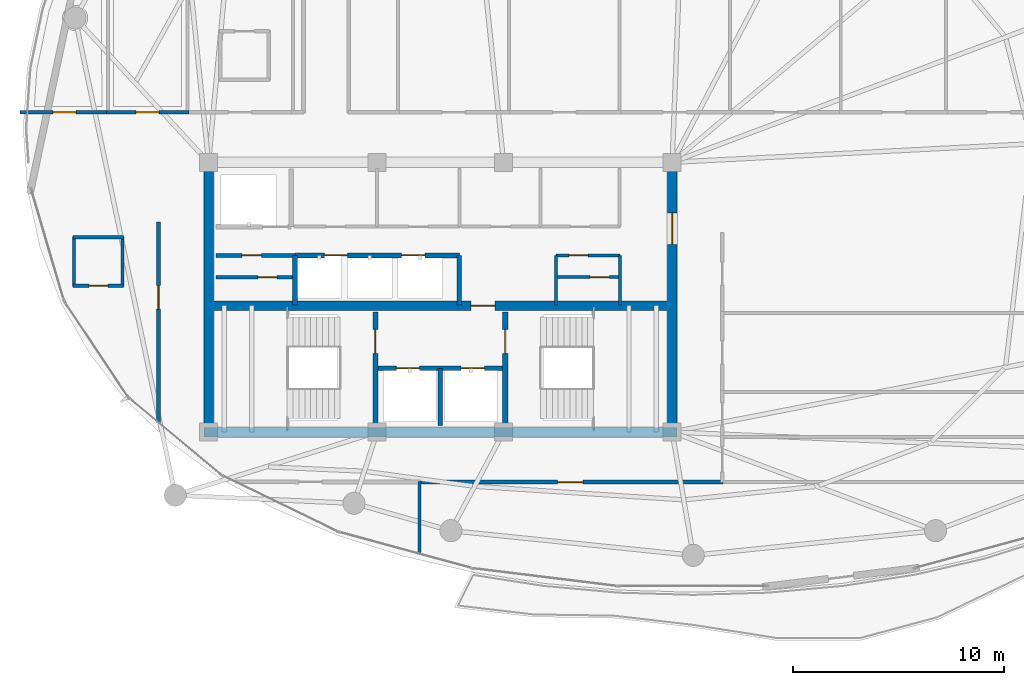
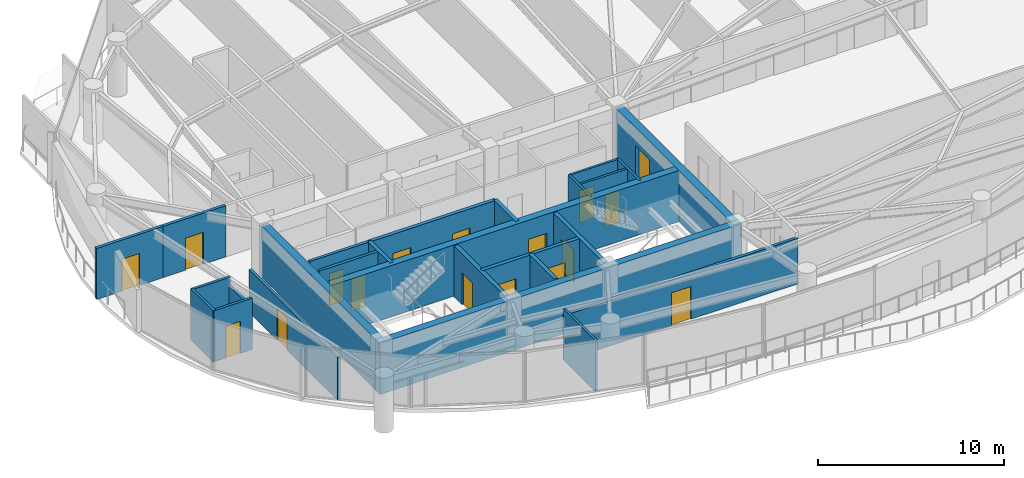
# One storey, part 23 of 29: 26 walls, 17 doors, 17 openings.
"""IFC4 building model written with IfcOpenShell, lengths in metres."""

from ifc_helpers import new_model, si_unit, direction, frame, frame_2d, origin, place, context, subcontext, project, spatial, rectangle, extrude, material, layer, layer_set, type_object, element, fill, save


model = new_model("IFC4")

# Units and contexts
model_context = context("Model", 3, precision=1e-05, world=origin(), true_north=direction((0.0, 1.0)))
body_context = subcontext(model_context, "Body", "Model", "MODEL_VIEW")
ifc_project = project(units=[si_unit("LENGTHUNIT", "METRE"), si_unit("AREAUNIT", "SQUARE_METRE"), si_unit("VOLUMEUNIT", "CUBIC_METRE"), si_unit("PLANEANGLEUNIT", "RADIAN"), si_unit("MASSUNIT", "GRAM", prefix="KILO")], contexts=[model_context])

# Site, building, storey
site_placement = place(None, origin())
site = spatial("IfcSite", under=ifc_project, at=site_placement, CompositionType="ELEMENT")
building_placement = place(site_placement, origin())
building = spatial("IfcBuilding", under=site, at=building_placement, Name="Kazevale Care Tower and Concert Hall", CompositionType="ELEMENT")
storey_placement = place(building_placement, frame((0.0, 0.0, 199.199951171875)))
storey = spatial("IfcBuildingStorey", under=building, at=storey_placement, Name="L52", CompositionType="ELEMENT", Elevation=199.199951171875)

# Walls
ifc_material_1 = material(Name="Acoustic Gypsum on Steel Stud", Category="steel")
ifc_layer_1 = layer(ifc_material_1, 0.139892578125)
ifc_layer_set_1 = layer_set([ifc_layer_1], Name="Acoustic Gypsum on Steel Stud")
wall_type_1 = type_object("IfcWallType", Name="Acoustic Care & Suite Partition 140", PredefinedType="PARTITIONING", material=ifc_layer_set_1)
for number, where, z_axis, x_axis, name in (
    (1, (38.47998046875, 29.6201171875, 0.0), (0.0, 0.0, 1.0), (0.0, 1.0, 0.0), "wall:L52:kc_ew"),
    (2, (41.52001953125, 29.6201171875, 0.0), (0.0, 0.0, 1.0), (0.0, 1.0, 0.0), "wall:L52:kc_ee"),
):
    element("IfcWall", number, at=place(storey_placement, frame(where, z_axis=z_axis, x_axis=x_axis)), inside=storey, type_object=wall_type_1, Name=name, PredefinedType="PARTITIONING", context=body_context, shape_type="SweptSolid", body=[
        extrude(rectangle(XDim=2.35986328125, YDim=0.139892578125, at=frame_2d((1.179931640625, 0.0))), origin(), (0.0, 0.0, 1.0), 3.360107421875),
    ])

# Wall, opening, door
wall_1_placement = place(storey_placement, frame((38.47998046875, 30.949951171875, 0.0), z_axis=(0.0, 0.0, 1.0), x_axis=(1.0, 0.0, 0.0)))
wall_1 = element("IfcWall", 3, at=wall_1_placement, inside=storey, type_object=wall_type_1, Name="wall:L52:kc_em", PredefinedType="PARTITIONING", context=body_context, shape_type="SweptSolid", body=[
    extrude(rectangle(XDim=3.0400390625, YDim=0.139892578125, at=frame_2d((1.52001953125, 0.0))), origin(), (0.0, 0.0, 1.0), 3.360107421875),
])
opening_1_placement = place(wall_1_placement, frame((1.616943359375, 0.0, 0.0)))
opening_1 = element("IfcOpeningElement", 4, at=opening_1_placement, cuts=wall_1, Name="Opening ID-900", PredefinedType="OPENING", context=body_context, shape_type="SweptSolid", body=[
    extrude(rectangle(XDim=0.919921875, YDim=2.10009765625, at=frame_2d((0.4599609375, 1.050048828125))), frame((0.0, 0.079833984375, 0.0), z_axis=(0.0, -1.0, 0.0), x_axis=(1.0, 0.0, 0.0)), (0.0, 0.0, 1.0), 0.159912109375),
])
ifc_material_2 = material(Name="Oak Timber Fire Leaf", Category="wood")
door_type_1 = type_object("IfcDoorType", Name="Bathroom & Service Door 920x2100", OperationType="NOTDEFINED", PredefinedType="DOOR", material=ifc_material_2)
door_1_placement = place(opening_1_placement, origin())
door_1 = element("IfcDoor", 5, at=door_1_placement, inside=storey, type_object=door_type_1, Name="door:L52:d_kceb", OperationType="SINGLE_SWING_RIGHT", OverallHeight=2.10009765625, OverallWidth=0.919921875, PredefinedType="DOOR", context=body_context, shape_type="SweptSolid", body=[
    extrude(rectangle(XDim=0.919921875, YDim=2.10009765625, at=frame_2d((0.4599609375, 1.050048828125))), frame((0.0, 0.02490234375, 0.0), z_axis=(0.0, -1.0, 0.0), x_axis=(1.0, 0.0, 0.0)), (0.0, 0.0, 1.0), 0.050048828125),
])
fill(opening_1, door_1)

wall_2_placement = place(storey_placement, frame((38.47998046875, 31.97998046875, 0.0), z_axis=(0.0, 0.0, 1.0), x_axis=(1.0, 0.0, 0.0)))
wall_2 = element("IfcWall", 6, at=wall_2_placement, inside=storey, type_object=wall_type_1, Name="wall:L52:kc_en", PredefinedType="PARTITIONING", context=body_context, shape_type="SweptSolid", body=[
    extrude(rectangle(XDim=3.0400390625, YDim=0.139892578125, at=frame_2d((1.52001953125, 0.0))), origin(), (0.0, 0.0, 1.0), 3.360107421875),
])
opening_2_placement = place(wall_2_placement, frame((0.614013671875, 0.0, 0.0)))
opening_2 = element("IfcOpeningElement", 7, at=opening_2_placement, cuts=wall_2, Name="Opening ID-900", PredefinedType="OPENING", context=body_context, shape_type="SweptSolid", body=[
    extrude(rectangle(XDim=0.919921875, YDim=2.10009765625, at=frame_2d((0.4599609375, 1.050048828125))), frame((0.0, 0.079833984375, 0.0), z_axis=(0.0, -1.0, 0.0), x_axis=(1.0, 0.0, 0.0)), (0.0, 0.0, 1.0), 0.159912109375),
])
door_2_placement = place(opening_2_placement, origin())
door_2 = element("IfcDoor", 8, at=door_2_placement, inside=storey, type_object=door_type_1, Name="door:L52:d_kcet", OperationType="SINGLE_SWING_LEFT", OverallHeight=2.10009765625, OverallWidth=0.919921875, PredefinedType="DOOR", context=body_context, shape_type="SweptSolid", body=[
    extrude(rectangle(XDim=0.919921875, YDim=2.10009765625, at=frame_2d((0.4599609375, 1.050048828125))), frame((0.0, 0.02490234375, 0.0), z_axis=(0.0, -1.0, 0.0), x_axis=(1.0, 0.0, 0.0)), (0.0, 0.0, 1.0), 0.050048828125),
])
fill(opening_2, door_2)

# Walls
wall_3_placement = place(storey_placement, frame((32.0, 21.2548828125, 0.0), z_axis=(0.0, 0.0, 1.0), x_axis=(0.0, -1.0, 0.0)))
element("IfcWall", 9, at=wall_3_placement, inside=storey, type_object=wall_type_1, Name="wall:L52:auto_038", PredefinedType="PARTITIONING", context=body_context, shape_type="SweptSolid", body=[
    extrude(rectangle(XDim=3.42236328125, YDim=0.139892578125, at=frame_2d((1.711181640625, 0.0))), origin(), (0.0, 0.0, 1.0), 3.360107421875),
])
ifc_material_3 = material(Name="Concrete C50", Category="concrete")
ifc_layer_2 = layer(ifc_material_3, 0.449951171875)
ifc_layer_set_2 = layer_set([ifc_layer_2], Name="Concrete C50")
wall_type_2 = type_object("IfcWallType", Name="Core Shear Wall 450 C50", PredefinedType="SHEAR", material=ifc_layer_set_2)
wall_4_placement = place(storey_placement, frame((21.77490234375, 23.60009765625, 0.0), z_axis=(0.0, 0.0, 1.0), x_axis=(1.0, 0.0, 0.0)))
element("IfcWall", 10, at=wall_4_placement, inside=storey, type_object=wall_type_2, Name="wall:L52:core:S", PredefinedType="SHEAR", context=body_context, shape_type="SweptSolid", body=[
    extrude(rectangle(XDim=22.4501953125, YDim=0.449951171875, at=frame_2d((11.22509765625, 0.0))), origin(), (0.0, 0.0, 1.0), 3.360107421875),
])
wall_5_placement = place(storey_placement, frame((22.0, 23.824951171875, 0.0), z_axis=(0.0, 0.0, 1.0), x_axis=(0.0, 1.0, 0.0)))
element("IfcWall", 11, at=wall_5_placement, inside=storey, type_object=wall_type_2, Name="wall:L52:core:W", PredefinedType="SHEAR", context=body_context, shape_type="SweptSolid", body=[
    extrude(rectangle(XDim=12.35009765625, YDim=0.449951171875, at=frame_2d((6.175048828125, 0.0))), origin(), (0.0, 0.0, 1.0), 3.360107421875),
])

# Wall, opening, door
wall_6_placement = place(storey_placement, frame((44.0, 23.824951171875, 0.0), z_axis=(0.0, 0.0, 1.0), x_axis=(0.0, 1.0, 0.0)))
wall_6 = element("IfcWall", 12, at=wall_6_placement, inside=storey, type_object=wall_type_2, Name="wall:L52:core:E", PredefinedType="SHEAR", context=body_context, shape_type="SweptSolid", body=[
    extrude(rectangle(XDim=12.35009765625, YDim=0.449951171875, at=frame_2d((6.175048828125, 0.0))), origin(), (0.0, 0.0, 1.0), 3.360107421875),
])
opening_3_placement = place(wall_6_placement, frame((8.675048828125, 0.0, 0.0)))
opening_3 = element("IfcOpeningElement", 13, at=opening_3_placement, cuts=wall_6, Name="Opening FD-60D", PredefinedType="OPENING", context=body_context, shape_type="SweptSolid", body=[
    extrude(rectangle(XDim=1.5, YDim=2.14990234375, at=frame_2d((0.75, 1.074951171875))), frame((0.0, 0.23486328125, 0.0), z_axis=(0.0, -1.0, 0.0), x_axis=(1.0, 0.0, 0.0)), (0.0, 0.0, 1.0), 0.469970703125),
])
door_type_2 = type_object("IfcDoorType", Name="Double Lobby & Auditorium Fire Door 1500x2150", OperationType="NOTDEFINED", PredefinedType="DOOR", material=ifc_material_2)
door_3_placement = place(opening_3_placement, origin())
door_3 = element("IfcDoor", 14, at=door_3_placement, inside=storey, type_object=door_type_2, Name="door:L52:core_east_out", OperationType="DOUBLE_DOOR_SINGLE_SWING", OverallHeight=2.14990234375, OverallWidth=1.5, PredefinedType="DOOR", context=body_context, shape_type="SweptSolid", body=[
    extrude(rectangle(XDim=1.5, YDim=2.14990234375, at=frame_2d((0.75, 1.074951171875))), frame((0.0, 0.02490234375, 0.0), z_axis=(0.0, -1.0, 0.0), x_axis=(1.0, 0.0, 0.0)), (0.0, 0.0, 1.0), 0.050048828125),
])
fill(opening_3, door_3)

wall_7_placement = place(storey_placement, frame((22.22509765625, 29.60009765625, 0.0), z_axis=(0.0, 0.0, 1.0), x_axis=(1.0, 0.0, 0.0)))
wall_7 = element("IfcWall", 15, at=wall_7_placement, inside=storey, type_object=wall_type_2, Name="wall:L52:core:M", PredefinedType="SHEAR", context=body_context, shape_type="SweptSolid", body=[
    extrude(rectangle(XDim=21.5498046875, YDim=0.449951171875, at=frame_2d((10.77490234375, 0.0))), origin(), (0.0, 0.0, 1.0), 3.360107421875),
])
opening_4_placement = place(wall_7_placement, frame((12.22509765625, 0.0, 0.0)))
opening_4 = element("IfcOpeningElement", 16, at=opening_4_placement, cuts=wall_7, Name="Opening FD-90", PredefinedType="OPENING", context=body_context, shape_type="SweptSolid", body=[
    extrude(rectangle(XDim=1.14990234375, YDim=2.10009765625, at=frame_2d((0.574951171875, 1.050048828125))), frame((0.0, 0.23486328125, 0.0), z_axis=(0.0, -1.0, 0.0), x_axis=(1.0, 0.0, 0.0)), (0.0, 0.0, 1.0), 0.469970703125),
])
ifc_material_4 = material(Name="Steel ASTM A572 Gr 50", Category="steel")
door_type_3 = type_object("IfcDoorType", Name="Pressurized Stair & Lobby Fire Door 1150x2100", OperationType="NOTDEFINED", PredefinedType="DOOR", material=ifc_material_4)
door_4_placement = place(opening_4_placement, origin())
door_4 = element("IfcDoor", 17, at=door_4_placement, inside=storey, type_object=door_type_3, Name="door:L52:ff_to_pax", OperationType="SINGLE_SWING_LEFT", OverallHeight=2.10009765625, OverallWidth=1.14990234375, PredefinedType="DOOR", context=body_context, shape_type="SweptSolid", body=[
    extrude(rectangle(XDim=1.14990234375, YDim=2.10009765625, at=frame_2d((0.574951171875, 1.050048828125))), frame((0.0, 0.02490234375, 0.0), z_axis=(0.0, -1.0, 0.0), x_axis=(1.0, 0.0, 0.0)), (0.0, 0.0, 1.0), 0.050048828125),
])
fill(opening_4, door_4)

# Wall, openings, doors
ifc_material_5 = material(Name="Concrete C40", Category="concrete")
ifc_layer_3 = layer(ifc_material_5, 0.219970703125)
ifc_layer_set_3 = layer_set([ifc_layer_3], Name="Concrete C40")
wall_type_3 = type_object("IfcWallType", Name="Elevator Hoistway Shaft Wall 220", PredefinedType="SOLIDWALL", material=ifc_layer_set_3)
wall_8_placement = place(storey_placement, frame((29.919921875, 26.6201171875, 0.0), z_axis=(0.0, 0.0, 1.0), x_axis=(1.0, 0.0, 0.0)))
wall_8 = element("IfcWall", 18, at=wall_8_placement, inside=storey, type_object=wall_type_3, Name="wall:L52:c_ffl_n", PredefinedType="SOLIDWALL", context=body_context, shape_type="SweptSolid", body=[
    extrude(rectangle(XDim=6.16015625, YDim=0.219970703125, at=frame_2d((3.080078125, 0.0))), origin(), (0.0, 0.0, 1.0), 3.360107421875),
])
opening_5_placement = place(wall_8_placement, frame((0.989990234375, 0.0, 0.0)))
opening_5 = element("IfcOpeningElement", 19, at=opening_5_placement, cuts=wall_8, Name="Opening LD-FF", PredefinedType="OPENING", context=body_context, shape_type="SweptSolid", body=[
    extrude(rectangle(XDim=1.10009765625, YDim=2.10009765625, at=frame_2d((0.550048828125, 1.050048828125))), frame((0.0, 0.119873046875, 0.0), z_axis=(0.0, -1.0, 0.0), x_axis=(1.0, 0.0, 0.0)), (0.0, 0.0, 1.0), 0.239990234375),
])
opening_6_placement = place(wall_8_placement, frame((4.070068359375, 0.0, 0.0)))
opening_6 = element("IfcOpeningElement", 20, at=opening_6_placement, cuts=wall_8, Name="Opening LD-FF", PredefinedType="OPENING", context=body_context, shape_type="SweptSolid", body=[
    extrude(rectangle(XDim=1.10009765625, YDim=2.10009765625, at=frame_2d((0.550048828125, 1.050048828125))), frame((0.0, 0.119873046875, 0.0), z_axis=(0.0, -1.0, 0.0), x_axis=(1.0, 0.0, 0.0)), (0.0, 0.0, 1.0), 0.239990234375),
])
ifc_material_6 = material(Name="Stainless Steel 316", Category="steel")
door_type_4 = type_object("IfcDoorType", Name="Emergency Lift Sliding Landing Door 1100x2100", OperationType="NOTDEFINED", PredefinedType="DOOR", material=ifc_material_6)
door_5_placement = place(opening_5_placement, origin())
door_5 = element("IfcDoor", 21, at=door_5_placement, inside=storey, type_object=door_type_4, Name="door:L52:ld_ffl1", OperationType="SLIDING_TO_LEFT", OverallHeight=2.10009765625, OverallWidth=1.10009765625, PredefinedType="DOOR", context=body_context, shape_type="SweptSolid", body=[
    extrude(rectangle(XDim=1.10009765625, YDim=2.10009765625, at=frame_2d((0.550048828125, 1.050048828125))), frame((0.0, 0.02490234375, 0.0), z_axis=(0.0, -1.0, 0.0), x_axis=(1.0, 0.0, 0.0)), (0.0, 0.0, 1.0), 0.050048828125),
])
fill(opening_5, door_5)
door_6_placement = place(opening_6_placement, origin())
door_6 = element("IfcDoor", 22, at=door_6_placement, inside=storey, type_object=door_type_4, Name="door:L52:ld_ffl2", OperationType="SLIDING_TO_RIGHT", OverallHeight=2.10009765625, OverallWidth=1.10009765625, PredefinedType="DOOR", context=body_context, shape_type="SweptSolid", body=[
    extrude(rectangle(XDim=1.10009765625, YDim=2.10009765625, at=frame_2d((0.550048828125, 1.050048828125))), frame((0.0, 0.02490234375, 0.0), z_axis=(0.0, -1.0, 0.0), x_axis=(1.0, 0.0, 0.0)), (0.0, 0.0, 1.0), 0.050048828125),
])
fill(opening_6, door_6)

# Walls
wall_9_placement = place(storey_placement, frame((33.0, 23.89990234375, 0.0), z_axis=(0.0, 0.0, 1.0), x_axis=(0.0, 1.0, 0.0)))
element("IfcWall", 23, at=wall_9_placement, inside=storey, type_object=wall_type_3, Name="wall:L52:c_ffl_m", PredefinedType="SOLIDWALL", context=body_context, shape_type="SweptSolid", body=[
    extrude(rectangle(XDim=2.72021484375, YDim=0.219970703125, at=frame_2d((1.360107421875, 0.0))), origin(), (0.0, 0.0, 1.0), 3.360107421875),
])
wall_10_placement = place(storey_placement, frame((26.10009765625, 29.6201171875, 0.0), z_axis=(0.0, 0.0, 1.0), x_axis=(0.0, 1.0, 0.0)))
element("IfcWall", 24, at=wall_10_placement, inside=storey, type_object=wall_type_3, Name="wall:L52:c_ph_w", PredefinedType="SOLIDWALL", context=body_context, shape_type="SweptSolid", body=[
    extrude(rectangle(XDim=2.35986328125, YDim=0.219970703125, at=frame_2d((1.179931640625, 0.0))), origin(), (0.0, 0.0, 1.0), 3.360107421875),
])

# Wall, openings, doors
wall_11_placement = place(storey_placement, frame((26.10009765625, 31.97998046875, 0.0), z_axis=(0.0, 0.0, 1.0), x_axis=(1.0, 0.0, 0.0)))
wall_11 = element("IfcWall", 25, at=wall_11_placement, inside=storey, type_object=wall_type_3, Name="wall:L52:c_ph_n", PredefinedType="SOLIDWALL", context=body_context, shape_type="SweptSolid", body=[
    extrude(rectangle(XDim=7.7998046875, YDim=0.219970703125, at=frame_2d((3.89990234375, 0.0))), origin(), (0.0, 0.0, 1.0), 3.360107421875),
])
opening_7_placement = place(wall_11_placement, frame((1.39990234375, 0.0, 0.0)))
opening_7 = element("IfcOpeningElement", 26, at=opening_7_placement, cuts=wall_11, Name="Opening LD-PAX", PredefinedType="OPENING", context=body_context, shape_type="SweptSolid", body=[
    extrude(rectangle(XDim=1.10009765625, YDim=2.10009765625, at=frame_2d((0.550048828125, 1.050048828125))), frame((0.0, 0.119873046875, 0.0), z_axis=(0.0, -1.0, 0.0), x_axis=(1.0, 0.0, 0.0)), (0.0, 0.0, 1.0), 0.239990234375),
])
opening_8_placement = place(wall_11_placement, frame((5.06591796875, 0.0, 0.0)))
opening_8 = element("IfcOpeningElement", 27, at=opening_8_placement, cuts=wall_11, Name="Opening LD-PAX", PredefinedType="OPENING", context=body_context, shape_type="SweptSolid", body=[
    extrude(rectangle(XDim=1.10009765625, YDim=2.10009765625, at=frame_2d((0.550048828125, 1.050048828125))), frame((0.0, 0.119873046875, 0.0), z_axis=(0.0, -1.0, 0.0), x_axis=(1.0, 0.0, 0.0)), (0.0, 0.0, 1.0), 0.239990234375),
])
door_type_5 = type_object("IfcDoorType", Name="Passenger Lift Sliding Landing Door 1100x2100", OperationType="NOTDEFINED", PredefinedType="DOOR", material=ifc_material_6)
door_7_placement = place(opening_7_placement, origin())
door_7 = element("IfcDoor", 28, at=door_7_placement, inside=storey, type_object=door_type_5, Name="door:L52:ld_ph1", OperationType="SLIDING_TO_LEFT", OverallHeight=2.10009765625, OverallWidth=1.10009765625, PredefinedType="DOOR", context=body_context, shape_type="SweptSolid", body=[
    extrude(rectangle(XDim=1.10009765625, YDim=2.10009765625, at=frame_2d((0.550048828125, 1.050048828125))), frame((0.0, 0.02490234375, 0.0), z_axis=(0.0, -1.0, 0.0), x_axis=(1.0, 0.0, 0.0)), (0.0, 0.0, 1.0), 0.050048828125),
])
fill(opening_7, door_7)
door_8_placement = place(opening_8_placement, origin())
door_8 = element("IfcDoor", 29, at=door_8_placement, inside=storey, type_object=door_type_5, Name="door:L52:ld_ph2", OperationType="SLIDING_TO_RIGHT", OverallHeight=2.10009765625, OverallWidth=1.10009765625, PredefinedType="DOOR", context=body_context, shape_type="SweptSolid", body=[
    extrude(rectangle(XDim=1.10009765625, YDim=2.10009765625, at=frame_2d((0.550048828125, 1.050048828125))), frame((0.0, 0.02490234375, 0.0), z_axis=(0.0, -1.0, 0.0), x_axis=(1.0, 0.0, 0.0)), (0.0, 0.0, 1.0), 0.050048828125),
])
fill(opening_8, door_8)

# Wall
wall_12_placement = place(storey_placement, frame((33.89990234375, 29.6201171875, 0.0), z_axis=(0.0, 0.0, 1.0), x_axis=(0.0, 1.0, 0.0)))
element("IfcWall", 30, at=wall_12_placement, inside=storey, type_object=wall_type_3, Name="wall:L52:c_ph_e", PredefinedType="SOLIDWALL", context=body_context, shape_type="SweptSolid", body=[
    extrude(rectangle(XDim=2.35986328125, YDim=0.219970703125, at=frame_2d((1.179931640625, 0.0))), origin(), (0.0, 0.0, 1.0), 3.360107421875),
])

# Wall, opening, door
ifc_material_7 = material(Name="Concrete C40 and Acoustic Gypsum", Category="concrete")
ifc_layer_4 = layer(ifc_material_7, 0.179931640625)
ifc_layer_set_4 = layer_set([ifc_layer_4], Name="Concrete C40 and Acoustic Gypsum")
wall_type_4 = type_object("IfcWallType", Name="Fire-Rated Corridor & Party Wall 180", PredefinedType="PARTITIONING", material=ifc_layer_set_4)
wall_13_placement = place(storey_placement, frame((22.35009765625, 30.949951171875, 0.0), z_axis=(0.0, 0.0, 1.0), x_axis=(1.0, 0.0, 0.0)))
wall_13 = element("IfcWall", 31, at=wall_13_placement, inside=storey, type_object=wall_type_4, Name="wall:L52:kc_wm", PredefinedType="PARTITIONING", context=body_context, shape_type="SweptSolid", body=[
    extrude(rectangle(XDim=3.75, YDim=0.179931640625, at=frame_2d((1.875, 0.0))), origin(), (0.0, 0.0, 1.0), 3.360107421875),
])
opening_9_placement = place(wall_13_placement, frame((1.988037109375, 0.0, 0.0)))
opening_9 = element("IfcOpeningElement", 32, at=opening_9_placement, cuts=wall_13, Name="Opening ID-900", PredefinedType="OPENING", context=body_context, shape_type="SweptSolid", body=[
    extrude(rectangle(XDim=0.919921875, YDim=2.10009765625, at=frame_2d((0.4599609375, 1.050048828125))), frame((0.0, 0.099853515625, 0.0), z_axis=(0.0, -1.0, 0.0), x_axis=(1.0, 0.0, 0.0)), (0.0, 0.0, 1.0), 0.199951171875),
])
door_9_placement = place(opening_9_placement, origin())
door_9 = element("IfcDoor", 33, at=door_9_placement, inside=storey, type_object=door_type_1, Name="door:L52:d_kcwb", OperationType="SINGLE_SWING_RIGHT", OverallHeight=2.10009765625, OverallWidth=0.919921875, PredefinedType="DOOR", context=body_context, shape_type="SweptSolid", body=[
    extrude(rectangle(XDim=0.919921875, YDim=2.10009765625, at=frame_2d((0.4599609375, 1.050048828125))), frame((0.0, 0.02490234375, 0.0), z_axis=(0.0, -1.0, 0.0), x_axis=(1.0, 0.0, 0.0)), (0.0, 0.0, 1.0), 0.050048828125),
])
fill(opening_9, door_9)

wall_14_placement = place(storey_placement, frame((22.35009765625, 31.97998046875, 0.0), z_axis=(0.0, 0.0, 1.0), x_axis=(1.0, 0.0, 0.0)))
wall_14 = element("IfcWall", 34, at=wall_14_placement, inside=storey, type_object=wall_type_4, Name="wall:L52:kc_wn", PredefinedType="PARTITIONING", context=body_context, shape_type="SweptSolid", body=[
    extrude(rectangle(XDim=3.75, YDim=0.179931640625, at=frame_2d((1.875, 0.0))), origin(), (0.0, 0.0, 1.0), 3.360107421875),
])
opening_10_placement = place(wall_14_placement, frame((1.238037109375, 0.0, 0.0)))
opening_10 = element("IfcOpeningElement", 35, at=opening_10_placement, cuts=wall_14, Name="Opening ID-900", PredefinedType="OPENING", context=body_context, shape_type="SweptSolid", body=[
    extrude(rectangle(XDim=0.919921875, YDim=2.10009765625, at=frame_2d((0.4599609375, 1.050048828125))), frame((0.0, 0.099853515625, 0.0), z_axis=(0.0, -1.0, 0.0), x_axis=(1.0, 0.0, 0.0)), (0.0, 0.0, 1.0), 0.199951171875),
])
door_10_placement = place(opening_10_placement, origin())
door_10 = element("IfcDoor", 36, at=door_10_placement, inside=storey, type_object=door_type_1, Name="door:L52:d_kcwt", OperationType="SINGLE_SWING_LEFT", OverallHeight=2.10009765625, OverallWidth=0.919921875, PredefinedType="DOOR", context=body_context, shape_type="SweptSolid", body=[
    extrude(rectangle(XDim=0.919921875, YDim=2.10009765625, at=frame_2d((0.4599609375, 1.050048828125))), frame((0.0, 0.02490234375, 0.0), z_axis=(0.0, -1.0, 0.0), x_axis=(1.0, 0.0, 0.0)), (0.0, 0.0, 1.0), 0.050048828125),
])
fill(opening_10, door_10)

wall_15_placement = place(storey_placement, frame((13.053955078125, 38.77490234375, 0.0), z_axis=(0.0, 0.0, 1.0), x_axis=(1.0, 0.0, 0.0)))
wall_15 = element("IfcWall", 37, at=wall_15_placement, inside=storey, type_object=wall_type_4, Name="wall:L52:auto_001", PredefinedType="PARTITIONING", context=body_context, shape_type="SweptSolid", body=[
    extrude(rectangle(XDim=4.23095703125, YDim=0.179931640625, at=frame_2d((2.115478515625, 0.0))), origin(), (0.0, 0.0, 1.0), 3.360107421875),
])
opening_11_placement = place(wall_15_placement, frame((1.56494140625, 0.0, 0.0)))
opening_11 = element("IfcOpeningElement", 38, at=opening_11_placement, cuts=wall_15, Name="Opening ID-1100", PredefinedType="OPENING", context=body_context, shape_type="SweptSolid", body=[
    extrude(rectangle(XDim=1.10009765625, YDim=2.10009765625, at=frame_2d((0.550048828125, 1.050048828125))), frame((0.0, 0.099853515625, 0.0), z_axis=(0.0, -1.0, 0.0), x_axis=(1.0, 0.0, 0.0)), (0.0, 0.0, 1.0), 0.199951171875),
])
door_type_6 = type_object("IfcDoorType", Name="Care Bedroom Accessible Door 1100x2100", OperationType="NOTDEFINED", PredefinedType="DOOR", material=ifc_material_2)
door_11_placement = place(opening_11_placement, origin())
door_11 = element("IfcDoor", 39, at=door_11_placement, inside=storey, type_object=door_type_6, Name="door:L52:ad_001", OperationType="SINGLE_SWING_LEFT", OverallHeight=2.10009765625, OverallWidth=1.10009765625, PredefinedType="DOOR", context=body_context, shape_type="SweptSolid", body=[
    extrude(rectangle(XDim=1.10009765625, YDim=2.10009765625, at=frame_2d((0.550048828125, 1.050048828125))), frame((0.0, 0.02490234375, 0.0), z_axis=(0.0, -1.0, 0.0), x_axis=(1.0, 0.0, 0.0)), (0.0, 0.0, 1.0), 0.050048828125),
])
fill(opening_11, door_11)

wall_16_placement = place(storey_placement, frame((17.155029296875, 38.77490234375, 0.0), z_axis=(0.0, 0.0, 1.0), x_axis=(1.0, 0.0, 0.0)))
wall_16 = element("IfcWall", 40, at=wall_16_placement, inside=storey, type_object=wall_type_4, Name="wall:L52:auto_002", PredefinedType="PARTITIONING", context=body_context, shape_type="SweptSolid", body=[
    extrude(rectangle(XDim=3.909912109375, YDim=0.179931640625, at=frame_2d((1.955078125, 0.0))), origin(), (0.0, 0.0, 1.0), 3.360107421875),
])
opening_12_placement = place(wall_16_placement, frame((1.405029296875, 0.0, 0.0)))
opening_12 = element("IfcOpeningElement", 41, at=opening_12_placement, cuts=wall_16, Name="Opening ID-1100", PredefinedType="OPENING", context=body_context, shape_type="SweptSolid", body=[
    extrude(rectangle(XDim=1.10009765625, YDim=2.10009765625, at=frame_2d((0.550048828125, 1.050048828125))), frame((0.0, 0.099853515625, 0.0), z_axis=(0.0, -1.0, 0.0), x_axis=(1.0, 0.0, 0.0)), (0.0, 0.0, 1.0), 0.199951171875),
])
door_12_placement = place(opening_12_placement, origin())
door_12 = element("IfcDoor", 42, at=door_12_placement, inside=storey, type_object=door_type_6, Name="door:L52:ad_002", OperationType="SINGLE_SWING_LEFT", OverallHeight=2.10009765625, OverallWidth=1.10009765625, PredefinedType="DOOR", context=body_context, shape_type="SweptSolid", body=[
    extrude(rectangle(XDim=1.10009765625, YDim=2.10009765625, at=frame_2d((0.550048828125, 1.050048828125))), frame((0.0, 0.02490234375, 0.0), z_axis=(0.0, -1.0, 0.0), x_axis=(1.0, 0.0, 0.0)), (0.0, 0.0, 1.0), 0.050048828125),
])
fill(opening_12, door_12)

wall_17_placement = place(storey_placement, frame((46.405029296875, 21.22509765625, 0.0), z_axis=(0.0, 0.0, 1.0), x_axis=(-1.0, 0.0, 0.0)))
wall_17 = element("IfcWall", 43, at=wall_17_placement, inside=storey, type_object=wall_type_4, Name="wall:L52:auto_021", PredefinedType="PARTITIONING", context=body_context, shape_type="SweptSolid", body=[
    extrude(rectangle(XDim=14.469970703125, YDim=0.179931640625, at=frame_2d((7.23486328125, 0.0))), origin(), (0.0, 0.0, 1.0), 2.99609375),
])
opening_13_placement = place(wall_17_placement, frame((6.635009765625, 0.0, 0.0)))
opening_13 = element("IfcOpeningElement", 44, at=opening_13_placement, cuts=wall_17, Name="Opening ID-1200", PredefinedType="OPENING", context=body_context, shape_type="SweptSolid", body=[
    extrude(rectangle(XDim=1.199951171875, YDim=2.14990234375, at=frame_2d((0.60009765625, 1.074951171875))), frame((0.0, 0.099853515625, 0.0), z_axis=(0.0, -1.0, 0.0), x_axis=(1.0, 0.0, 0.0)), (0.0, 0.0, 1.0), 0.199951171875),
])
door_type_7 = type_object("IfcDoorType", Name="Clinical & Therapy Door 1200x2150", OperationType="NOTDEFINED", PredefinedType="DOOR", material=ifc_material_2)
door_13_placement = place(opening_13_placement, origin())
door_13 = element("IfcDoor", 45, at=door_13_placement, inside=storey, type_object=door_type_7, Name="door:L52:ad_021", OperationType="SINGLE_SWING_LEFT", OverallHeight=2.14990234375, OverallWidth=1.199951171875, PredefinedType="DOOR", context=body_context, shape_type="SweptSolid", body=[
    extrude(rectangle(XDim=1.199951171875, YDim=2.14990234375, at=frame_2d((0.60009765625, 1.074951171875))), frame((0.0, 0.02490234375, 0.0), z_axis=(0.0, -1.0, 0.0), x_axis=(1.0, 0.0, 0.0)), (0.0, 0.0, 1.0), 0.050048828125),
])
fill(opening_13, door_13)

wall_18_placement = place(storey_placement, frame((19.625, 24.059814453125, 0.0), z_axis=(0.0, 0.0, 1.0), x_axis=(0.0, 1.0, 0.0)))
wall_18 = element("IfcWall", 46, at=wall_18_placement, inside=storey, type_object=wall_type_4, Name="wall:L52:auto_022", PredefinedType="PARTITIONING", context=body_context, shape_type="SweptSolid", body=[
    extrude(rectangle(XDim=9.505126953125, YDim=0.179931640625, at=frame_2d((4.75244140625, 0.0))), origin(), (0.0, 0.0, 1.0), 2.817138671875),
])
opening_14_placement = place(wall_18_placement, frame((5.389892578125, 0.0, 0.0)))
opening_14 = element("IfcOpeningElement", 47, at=opening_14_placement, cuts=wall_18, Name="Opening ID-1100", PredefinedType="OPENING", context=body_context, shape_type="SweptSolid", body=[
    extrude(rectangle(XDim=1.10009765625, YDim=2.10009765625, at=frame_2d((0.550048828125, 1.050048828125))), frame((0.0, 0.099853515625, 0.0), z_axis=(0.0, -1.0, 0.0), x_axis=(1.0, 0.0, 0.0)), (0.0, 0.0, 1.0), 0.199951171875),
])
door_14_placement = place(opening_14_placement, origin())
door_14 = element("IfcDoor", 48, at=door_14_placement, inside=storey, type_object=door_type_6, Name="door:L52:ad_022", OperationType="SINGLE_SWING_LEFT", OverallHeight=2.10009765625, OverallWidth=1.10009765625, PredefinedType="DOOR", context=body_context, shape_type="SweptSolid", body=[
    extrude(rectangle(XDim=1.10009765625, YDim=2.10009765625, at=frame_2d((0.550048828125, 1.050048828125))), frame((0.0, 0.02490234375, 0.0), z_axis=(0.0, -1.0, 0.0), x_axis=(1.0, 0.0, 0.0)), (0.0, 0.0, 1.0), 0.050048828125),
])
fill(opening_14, door_14)

ifc_layer_5 = layer(ifc_material_1, 0.159912109375)
ifc_layer_set_5 = layer_set([ifc_layer_5], Name="Acoustic Gypsum on Steel Stud")
wall_type_5 = type_object("IfcWallType", Name="Moisture-Resistant Bathroom Plumbing Wall 160", PredefinedType="PLUMBINGWALL", material=ifc_layer_set_5)
wall_19_placement = place(storey_placement, frame((15.576904296875, 30.550048828125, 0.0), z_axis=(0.0, 0.0, 1.0), x_axis=(1.0, 0.0, 0.0)))
wall_19 = element("IfcWall", 49, at=wall_19_placement, inside=storey, type_object=wall_type_5, Name="wall:L52:wb2_ens_ws", PredefinedType="PLUMBINGWALL", context=body_context, shape_type="SweptSolid", body=[
    extrude(rectangle(XDim=2.380126953125, YDim=0.159912109375, at=frame_2d((1.18994140625, 0.0))), origin(), (0.0, 0.0, 1.0), 3.360107421875),
])
opening_15_placement = place(wall_19_placement, frame((0.739990234375, 0.0, 0.0)))
opening_15 = element("IfcOpeningElement", 50, at=opening_15_placement, cuts=wall_19, Name="Opening ID-900", PredefinedType="OPENING", context=body_context, shape_type="SweptSolid", body=[
    extrude(rectangle(XDim=0.919921875, YDim=2.10009765625, at=frame_2d((0.4599609375, 1.050048828125))), frame((0.0, 0.08984375, 0.0), z_axis=(0.0, -1.0, 0.0), x_axis=(1.0, 0.0, 0.0)), (0.0, 0.0, 1.0), 0.179931640625),
])
door_15_placement = place(opening_15_placement, origin())
door_15 = element("IfcDoor", 51, at=door_15_placement, inside=storey, type_object=door_type_1, Name="door:L52:wb2_ens_d", OperationType="SINGLE_SWING_RIGHT", OverallHeight=2.10009765625, OverallWidth=0.919921875, PredefinedType="DOOR", context=body_context, shape_type="SweptSolid", body=[
    extrude(rectangle(XDim=0.919921875, YDim=2.10009765625, at=frame_2d((0.4599609375, 1.050048828125))), frame((0.0, 0.02490234375, 0.0), z_axis=(0.0, -1.0, 0.0), x_axis=(1.0, 0.0, 0.0)), (0.0, 0.0, 1.0), 0.050048828125),
])
fill(opening_15, door_15)

# Walls
wall_20_placement = place(storey_placement, frame((15.576904296875, 32.85009765625, 0.0), z_axis=(0.0, 0.0, 1.0), x_axis=(1.0, 0.0, 0.0)))
element("IfcWall", 52, at=wall_20_placement, inside=storey, type_object=wall_type_5, Name="wall:L52:wb2_ens_wn", PredefinedType="PLUMBINGWALL", context=body_context, shape_type="SweptSolid", body=[
    extrude(rectangle(XDim=2.380126953125, YDim=0.159912109375, at=frame_2d((1.18994140625, 0.0))), origin(), (0.0, 0.0, 1.0), 3.360107421875),
])
wall_21_placement = place(storey_placement, frame((15.616943359375, 30.510009765625, 0.0), z_axis=(0.0, 0.0, 1.0), x_axis=(0.0, 1.0, 0.0)))
element("IfcWall", 53, at=wall_21_placement, inside=storey, type_object=wall_type_5, Name="wall:L52:wb2_ens_ww", PredefinedType="PLUMBINGWALL", context=body_context, shape_type="SweptSolid", body=[
    extrude(rectangle(XDim=2.3798828125, YDim=0.159912109375, at=frame_2d((1.18994140625, 0.0))), origin(), (0.0, 0.0, 1.0), 3.360107421875),
])
wall_22_placement = place(storey_placement, frame((17.9169921875, 30.510009765625, 0.0), z_axis=(0.0, 0.0, 1.0), x_axis=(0.0, 1.0, 0.0)))
element("IfcWall", 54, at=wall_22_placement, inside=storey, type_object=wall_type_5, Name="wall:L52:wb2_ens_we", PredefinedType="PLUMBINGWALL", context=body_context, shape_type="SweptSolid", body=[
    extrude(rectangle(XDim=2.3798828125, YDim=0.159912109375, at=frame_2d((1.18994140625, 0.0))), origin(), (0.0, 0.0, 1.0), 2.817138671875),
])

# Wall, opening, door
ifc_layer_6 = layer(ifc_material_5, 0.25)
ifc_layer_set_6 = layer_set([ifc_layer_6], Name="Concrete C40")
wall_type_6 = type_object("IfcWallType", Name="Pressurized Stair Shaft Wall 250", PredefinedType="SOLIDWALL", material=ifc_layer_set_6)
wall_23_placement = place(storey_placement, frame((29.919921875, 23.89990234375, 0.0), z_axis=(0.0, 0.0, 1.0), x_axis=(0.0, 1.0, 0.0)))
wall_23 = element("IfcWall", 55, at=wall_23_placement, inside=storey, type_object=wall_type_6, Name="wall:L52:c_st1_e", PredefinedType="SOLIDWALL", context=body_context, shape_type="SweptSolid", body=[
    extrude(rectangle(XDim=5.400146484375, YDim=0.25, at=frame_2d((2.7001953125, 0.0))), origin(), (0.0, 0.0, 1.0), 3.360107421875),
])
opening_16_placement = place(wall_23_placement, frame((3.4208984375, 0.0, 0.0)))
opening_16 = element("IfcOpeningElement", 56, at=opening_16_placement, cuts=wall_23, Name="Opening FD-90", PredefinedType="OPENING", context=body_context, shape_type="SweptSolid", body=[
    extrude(rectangle(XDim=1.14990234375, YDim=2.10009765625, at=frame_2d((0.574951171875, 1.050048828125))), frame((0.0, 0.135009765625, 0.0), z_axis=(0.0, -1.0, 0.0), x_axis=(1.0, 0.0, 0.0)), (0.0, 0.0, 1.0), 0.27001953125),
])
door_16_placement = place(opening_16_placement, origin())
door_16 = element("IfcDoor", 57, at=door_16_placement, inside=storey, type_object=door_type_3, Name="door:L52:st1", OperationType="SINGLE_SWING_RIGHT", OverallHeight=2.10009765625, OverallWidth=1.14990234375, PredefinedType="DOOR", context=body_context, shape_type="SweptSolid", body=[
    extrude(rectangle(XDim=1.14990234375, YDim=2.10009765625, at=frame_2d((0.574951171875, 1.050048828125))), frame((0.0, 0.02490234375, 0.0), z_axis=(0.0, -1.0, 0.0), x_axis=(1.0, 0.0, 0.0)), (0.0, 0.0, 1.0), 0.050048828125),
])
fill(opening_16, door_16)

wall_24_placement = place(storey_placement, frame((36.080078125, 23.89990234375, 0.0), z_axis=(0.0, 0.0, 1.0), x_axis=(0.0, 1.0, 0.0)))
wall_24 = element("IfcWall", 58, at=wall_24_placement, inside=storey, type_object=wall_type_6, Name="wall:L52:c_st2_w", PredefinedType="SOLIDWALL", context=body_context, shape_type="SweptSolid", body=[
    extrude(rectangle(XDim=5.400146484375, YDim=0.25, at=frame_2d((2.7001953125, 0.0))), origin(), (0.0, 0.0, 1.0), 3.360107421875),
])
opening_17_placement = place(wall_24_placement, frame((3.4208984375, 0.0, 0.0)))
opening_17 = element("IfcOpeningElement", 59, at=opening_17_placement, cuts=wall_24, Name="Opening FD-90", PredefinedType="OPENING", context=body_context, shape_type="SweptSolid", body=[
    extrude(rectangle(XDim=1.14990234375, YDim=2.10009765625, at=frame_2d((0.574951171875, 1.050048828125))), frame((0.0, 0.135009765625, 0.0), z_axis=(0.0, -1.0, 0.0), x_axis=(1.0, 0.0, 0.0)), (0.0, 0.0, 1.0), 0.27001953125),
])
door_17_placement = place(opening_17_placement, origin())
door_17 = element("IfcDoor", 60, at=door_17_placement, inside=storey, type_object=door_type_3, Name="door:L52:st2", OperationType="SINGLE_SWING_LEFT", OverallHeight=2.10009765625, OverallWidth=1.14990234375, PredefinedType="DOOR", context=body_context, shape_type="SweptSolid", body=[
    extrude(rectangle(XDim=1.14990234375, YDim=2.10009765625, at=frame_2d((0.574951171875, 1.050048828125))), frame((0.0, 0.02490234375, 0.0), z_axis=(0.0, -1.0, 0.0), x_axis=(1.0, 0.0, 0.0)), (0.0, 0.0, 1.0), 0.050048828125),
])
fill(opening_17, door_17)

save(model, "model.ifc")
